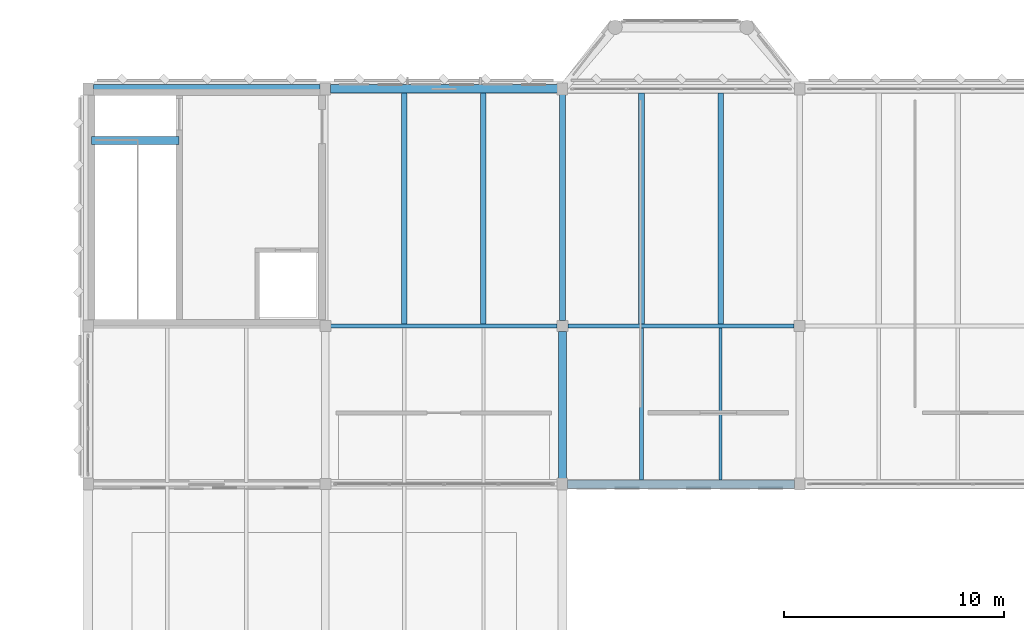
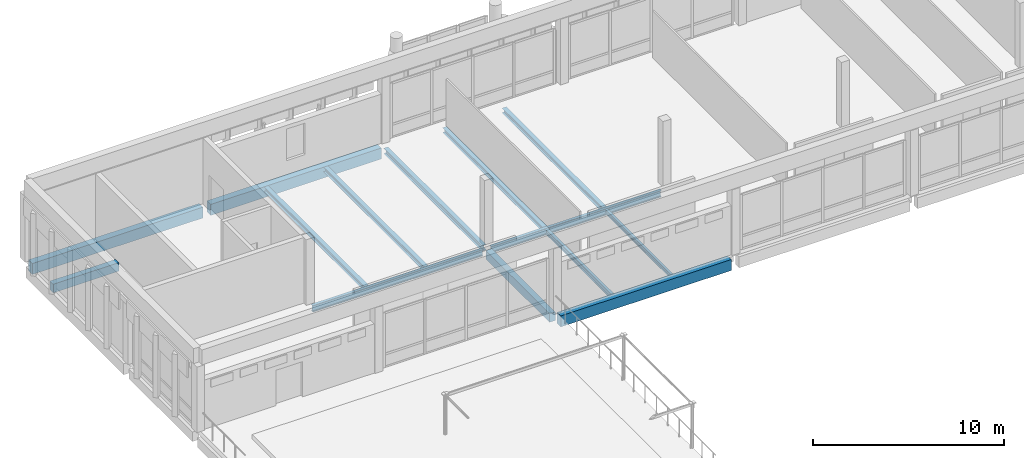
# One storey, part 11 of 33: 14 beams.
"""IFC4 building model written with IfcOpenShell, lengths in metres."""

from ifc_helpers import new_model, si_unit, direction, frame, origin, origin_2d, place, context, subcontext, project, spatial, rectangle, i_section, extrude, material, material_profile, profile_set, type_object, element, save


model = new_model("IFC4")

# Units and contexts
model_context = context("Model", 3, precision=1e-05, world=origin(), true_north=direction((0.0, 1.0)))
body_context = subcontext(model_context, "Body", "Model", "MODEL_VIEW")
ifc_project = project(units=[si_unit("LENGTHUNIT", "METRE"), si_unit("AREAUNIT", "SQUARE_METRE"), si_unit("VOLUMEUNIT", "CUBIC_METRE"), si_unit("PLANEANGLEUNIT", "RADIAN"), si_unit("MASSUNIT", "GRAM", prefix="KILO")], contexts=[model_context])

# Site, building, storey
site_placement = place(None, origin())
site = spatial("IfcSite", under=ifc_project, at=site_placement, CompositionType="ELEMENT")
building_placement = place(site_placement, origin())
building = spatial("IfcBuilding", under=site, at=building_placement, Name="Lusvemor Sports Hall", CompositionType="ELEMENT")
storey_placement = place(building_placement, frame((0.0, 0.0, 19.199951171875)))
storey = spatial("IfcBuildingStorey", under=building, at=storey_placement, Name="L04", CompositionType="ELEMENT", Elevation=19.199951171875)

# Beams
ifc_material_1 = material(Name="Concrete C40/50", Category="concrete")
ifc_material_profile_1 = material_profile(ifc_material_1, rectangle(XDim=0.35009765625, YDim=0.550048828125, at=origin_2d()), Name="RC350x550")
ifc_profile_set_1 = profile_set([ifc_material_profile_1], Name="Concrete C40/50")
beam_type_1 = type_object("IfcBeamType", Name="BEAM_RC_550", PredefinedType="BEAM", material=ifc_profile_set_1)
beam_1_placement = place(storey_placement, frame((21.60009765625, 97.466064453125, -0.56494140625), z_axis=(0.0, 1.0, 0.0), x_axis=(-1.0, 0.0, 0.0)))
element("IfcBeam", 1, at=beam_1_placement, inside=storey, type_object=beam_type_1, Name="Beam L04 3:N-P", PredefinedType="BEAM", context=body_context, shape_type="SweptSolid", body=[
    extrude(rectangle(XDim=0.35009765625, YDim=0.550048828125, at=origin_2d()), origin(), (0.0, 0.0, 1.0), 6.68798828125),
])
beam_2_placement = place(storey_placement, frame((0.159912109375, 112.85009765625, -0.454833984375), z_axis=(1.0, 0.0, 0.0), x_axis=(0.0, 1.0, 0.0)))
element("IfcBeam", 2, at=beam_2_placement, inside=storey, type_object=beam_type_1, Name="Stair STR-C1-L03 Top-Landing Beam", PredefinedType="BEAM", context=body_context, shape_type="SweptSolid", body=[
    extrude(rectangle(XDim=0.35009765625, YDim=0.550048828125, at=origin_2d()), origin(), (0.0, 0.0, 1.0), 3.97998046875),
])
ifc_material_2 = material(Name="Steel S355", Category="steel")
ifc_material_profile_2 = material_profile(ifc_material_2, i_section(OverallWidth=0.256103515625, OverallDepth=0.360107421875, WebThickness=0.011474609375, FlangeThickness=0.02001953125, FilletRadius=0.014892578125, at=origin_2d()), Name="W360x110.0")
ifc_profile_set_2 = profile_set([ifc_material_profile_2], Name="Steel S355")
beam_type_2 = type_object("IfcBeamType", Name="BEAM_ST_360H", PredefinedType="BEAM", material=ifc_profile_set_2)
beam_3_placement = place(storey_placement, frame((21.60009765625, 104.64599609375, -0.473876953125), z_axis=(0.0, 1.0, 0.0), x_axis=(-1.0, 0.0, 0.0)))
element("IfcBeam", 3, at=beam_3_placement, inside=storey, type_object=beam_type_2, Name="Beam L04 3:P-Q", PredefinedType="BEAM", context=body_context, shape_type="SweptSolid", body=[
    extrude(i_section(OverallWidth=0.256103515625, OverallDepth=0.360107421875, WebThickness=0.011474609375, FlangeThickness=0.02001953125, FilletRadius=0.014892578125, at=origin_2d()), origin(), (0.0, 0.0, 1.0), 10.2880859375),
])
ifc_material_3 = material(Name="Steel S355", Category="steel")
ifc_material_profile_3 = material_profile(ifc_material_3, i_section(OverallWidth=0.180908203125, OverallDepth=0.4169921875, WebThickness=0.010986328125, FlangeThickness=0.018310546875, FilletRadius=0.01611328125, at=origin_2d()), Name="W410x85.0")
ifc_profile_set_3 = profile_set([ifc_material_profile_3], Name="Steel S355")
beam_type_3 = type_object("IfcBeamType", Name="BEAM_ST_410H", PredefinedType="BEAM", material=ifc_profile_set_3)
for number, where, z_axis, x_axis, name in (
    (4, (11.0458984375, 104.39990234375, -0.50244140625), (1.0, 0.0, 0.0), (0.0, 1.0, 0.0), "Beam L04 P:2-3"),
    (5, (21.845947265625, 104.39990234375, -0.50244140625), (1.0, 0.0, 0.0), (0.0, 1.0, 0.0), "Beam L04 P:3-4"),
):
    element("IfcBeam", number, at=place(storey_placement, frame(where, z_axis=z_axis, x_axis=x_axis)), inside=storey, type_object=beam_type_3, Name=name, PredefinedType="BEAM", context=body_context, shape_type="SweptSolid", body=[
        extrude(i_section(OverallWidth=0.180908203125, OverallDepth=0.4169921875, WebThickness=0.010986328125, FlangeThickness=0.018310546875, FilletRadius=0.01611328125, at=origin_2d()), origin(), (0.0, 0.0, 1.0), 10.30810546875),
    ])
ifc_material_4 = material(Name="Steel S355", Category="steel")
ifc_material_profile_4 = material_profile(ifc_material_4, i_section(OverallWidth=0.14794921875, OverallDepth=0.26611328125, WebThickness=0.007568359375, FlangeThickness=0.012939453125, FilletRadius=0.012939453125, at=origin_2d()), Name="W250x44.8")
ifc_profile_set_4 = profile_set([ifc_material_profile_4], Name="Steel S355")
beam_type_4 = type_object("IfcBeamType", Name="JOIST_ST_250M", PredefinedType="JOIST", material=ifc_profile_set_4)
beam_4_placement = place(storey_placement, frame((28.800048828125, 97.39599609375, -0.427001953125), z_axis=(0.0, 1.0, 0.0), x_axis=(-1.0, 0.0, 0.0)))
element("IfcBeam", 6, at=beam_4_placement, inside=storey, type_object=beam_type_4, Name="Secondary Joist L04 3-4/N-P #2", PredefinedType="JOIST", context=body_context, shape_type="SweptSolid", body=[
    extrude(i_section(OverallWidth=0.14794921875, OverallDepth=0.26611328125, WebThickness=0.007568359375, FlangeThickness=0.012939453125, FilletRadius=0.012939453125, at=origin_2d()), origin(), (0.0, 0.0, 1.0), 6.91748046875),
])
ifc_material_5 = material(Name="Steel S355", Category="steel")
ifc_material_profile_5 = material_profile(ifc_material_5, i_section(OverallWidth=0.25390625, OverallDepth=0.305908203125, WebThickness=0.0087890625, FlangeThickness=0.0146484375, FilletRadius=0.014892578125, at=origin_2d()), Name="W310x79.0")
ifc_profile_set_5 = profile_set([ifc_material_profile_5], Name="Steel S355")
beam_type_5 = type_object("IfcBeamType", Name="JOIST_ST_310H", PredefinedType="JOIST", material=ifc_profile_set_5)
for number, where, z_axis, x_axis, name in (
    (7, (14.39990234375, 104.486572265625, -0.447021484375), (0.0, 1.0, 0.0), (-1.0, 0.0, 0.0), "Secondary Joist L04 2-3/P-Q #1"),
    (8, (18.0, 104.486572265625, -0.447021484375), (0.0, 1.0, 0.0), (-1.0, 0.0, 0.0), "Secondary Joist L04 2-3/P-Q #2"),
    (9, (25.199951171875, 104.486572265625, -0.447021484375), (0.0, 1.0, 0.0), (-1.0, 0.0, 0.0), "Secondary Joist L04 3-4/P-Q #1"),
    (10, (28.800048828125, 104.486572265625, -0.447021484375), (0.0, 1.0, 0.0), (-1.0, 0.0, 0.0), "Secondary Joist L04 3-4/P-Q #2"),
):
    element("IfcBeam", number, at=place(storey_placement, frame(where, z_axis=z_axis, x_axis=x_axis)), inside=storey, type_object=beam_type_5, Name=name, PredefinedType="JOIST", context=body_context, shape_type="SweptSolid", body=[
        extrude(i_section(OverallWidth=0.25390625, OverallDepth=0.305908203125, WebThickness=0.0087890625, FlangeThickness=0.0146484375, FilletRadius=0.014892578125, at=origin_2d()), origin(), (0.0, 0.0, 1.0), 10.517333984375),
    ])
ifc_material_6 = material(Name="Steel S355", Category="steel")
ifc_material_profile_6 = material_profile(ifc_material_6, i_section(OverallWidth=0.1669921875, OverallDepth=0.31689453125, WebThickness=0.007568359375, FlangeThickness=0.01318359375, FilletRadius=0.014892578125, at=origin_2d()), Name="W310x52.0")
ifc_profile_set_6 = profile_set([ifc_material_profile_6], Name="Steel S355")
beam_type_6 = type_object("IfcBeamType", Name="JOIST_ST_310M", PredefinedType="JOIST", material=ifc_profile_set_6)
beam_5_placement = place(storey_placement, frame((25.199951171875, 97.39599609375, -0.452392578125), z_axis=(0.0, 1.0, 0.0), x_axis=(-1.0, 0.0, 0.0)))
element("IfcBeam", 11, at=beam_5_placement, inside=storey, type_object=beam_type_6, Name="Secondary Joist L04 3-4/N-P #1", PredefinedType="JOIST", context=body_context, shape_type="SweptSolid", body=[
    extrude(i_section(OverallWidth=0.1669921875, OverallDepth=0.31689453125, WebThickness=0.007568359375, FlangeThickness=0.01318359375, FilletRadius=0.014892578125, at=origin_2d()), origin(), (0.0, 0.0, 1.0), 6.91748046875),
])
ifc_material_7 = material(Name="Concrete C40/50", Category="concrete")
ifc_material_profile_7 = material_profile(ifc_material_7, rectangle(XDim=0.39990234375, YDim=0.699951171875, at=origin_2d()), Name="RC400x700")
ifc_profile_set_7 = profile_set([ifc_material_profile_7], Name="Concrete C40/50")
beam_type_7 = type_object("IfcBeamType", Name="SPAND_EXT_700", PredefinedType="SPANDREL", material=ifc_profile_set_7)
beam_6_placement = place(storey_placement, frame((21.8359375, 97.199951171875, -0.639892578125), z_axis=(1.0, 0.0, 0.0), x_axis=(0.0, 1.0, 0.0)))
element("IfcBeam", 12, at=beam_6_placement, inside=storey, type_object=beam_type_7, Name="Beam L04 N:3-4", PredefinedType="SPANDREL", context=body_context, shape_type="SweptSolid", body=[
    extrude(rectangle(XDim=0.39990234375, YDim=0.699951171875, at=origin_2d()), origin(), (0.0, 0.0, 1.0), 10.328125),
])
beam_7_placement = place(storey_placement, frame((0.236083984375, 115.199951171875, -0.639892578125), z_axis=(1.0, 0.0, 0.0), x_axis=(0.0, 1.0, 0.0)))
element("IfcBeam", 13, at=beam_7_placement, inside=storey, type_object=beam_type_7, Name="Beam L04 Q:1-2", PredefinedType="SPANDREL", context=body_context, shape_type="SweptSolid", body=[
    extrude(rectangle(XDim=0.39990234375, YDim=0.699951171875, at=origin_2d()), origin(), (0.0, 0.0, 1.0), 10.327880859375),
])
beam_8_placement = place(storey_placement, frame((11.035888671875, 115.199951171875, -0.639892578125), z_axis=(1.0, 0.0, 0.0), x_axis=(0.0, 1.0, 0.0)))
element("IfcBeam", 14, at=beam_8_placement, inside=storey, type_object=beam_type_7, Name="Beam L04 Q:2-3", PredefinedType="SPANDREL", context=body_context, shape_type="SweptSolid", body=[
    extrude(rectangle(XDim=0.39990234375, YDim=0.699951171875, at=origin_2d()), origin(), (0.0, 0.0, 1.0), 10.328125),
])

save(model, "model.ifc")
